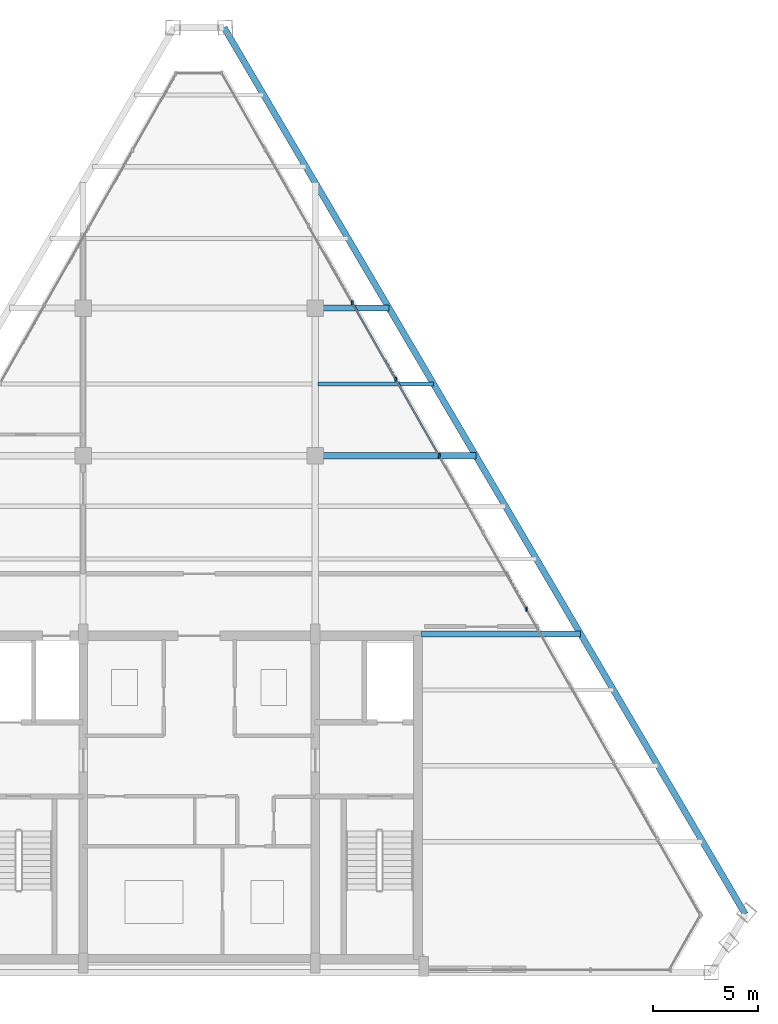
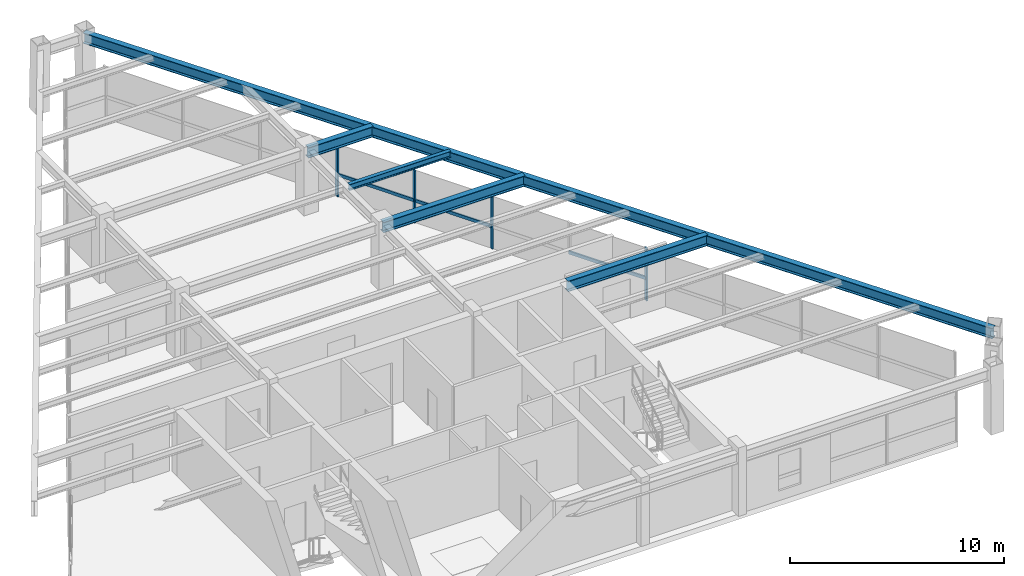
# One storey, part 7 of 12: 7 members, 5 beams, 1 element without a shape of its own.
"""IFC4 building model written with IfcOpenShell, lengths in metres."""

from ifc_helpers import new_model, si_unit, direction, frame, origin, origin_2d, place, context, subcontext, project, spatial, rectangle, i_section, extrude, source, transform, mapped, material, material_profile, profile_set, type_object, type_shapes, element, aggregate, save


model = new_model("IFC4")

# Units and contexts
model_context = context("Model", 3, precision=1e-05, world=origin(), true_north=direction((0.0, 1.0)))
body_context = subcontext(model_context, "Body", "Model", "MODEL_VIEW")
ifc_project = project(units=[si_unit("LENGTHUNIT", "METRE"), si_unit("AREAUNIT", "SQUARE_METRE"), si_unit("VOLUMEUNIT", "CUBIC_METRE"), si_unit("PLANEANGLEUNIT", "RADIAN"), si_unit("MASSUNIT", "GRAM", prefix="KILO")], contexts=[model_context])

# Site, building, storey
site_placement = place(None, origin())
site = spatial("IfcSite", under=ifc_project, at=site_placement, CompositionType="ELEMENT")
building_placement = place(site_placement, origin())
building = spatial("IfcBuilding", under=site, at=building_placement, Name="Varnakhor Terracotta Tower", CompositionType="ELEMENT")
storey_placement = place(building_placement, frame((0.0, 0.0, 309.699951171875)))
storey = spatial("IfcBuildingStorey", under=building, at=storey_placement, Name="L81 Crown", CompositionType="ELEMENT", Elevation=309.699951171875)

# Beams
ifc_material_1 = material(Name="Steel S355", Category="steel")
ifc_material_profile_1 = material_profile(ifc_material_1, i_section(OverallWidth=0.300048828125, OverallDepth=0.60009765625, WebThickness=0.015380859375, FlangeThickness=0.030029296875, FilletRadius=0.01806640625, at=origin_2d()), Name="HEB600")
ifc_profile_set_1 = profile_set([ifc_material_profile_1], Name="Steel S355")
beam_type_1 = type_object("IfcBeamType", Name="BM-HEB600", PredefinedType="BEAM", material=ifc_profile_set_1)
shared_shape_1 = source(origin(), body_context, "Body", "SweptSolid", [
    extrude(i_section(OverallWidth=0.300048828125, OverallDepth=0.60009765625, WebThickness=0.015380859375, FlangeThickness=0.030029296875, FilletRadius=0.01806640625, at=origin_2d()), origin(), (0.0, 0.0, 1.0), 48.742431640625),
])
beam_1_placement = place(storey_placement, frame((25.887939453125, 2.767822265625, 3.300048828125), z_axis=(-0.506774726627, 0.862078521048, 0.0), x_axis=(-0.862078521048, -0.506774726627, 0.0)))
element("IfcBeam", 1, at=beam_1_placement, inside=storey, type_object=beam_type_1, Name="L81 Crown Perimeter Spandrel 4", PredefinedType="BEAM", context=body_context, shape_type="MappedRepresentation", body=[
    mapped(shared_shape_1, transform((0.0, 0.0, 0.0), scale=1.0)),
])
shared_shape_2 = source(origin(), body_context, "Body", "SweptSolid", [
    extrude(i_section(OverallWidth=0.300048828125, OverallDepth=0.60009765625, WebThickness=0.015380859375, FlangeThickness=0.030029296875, FilletRadius=0.01806640625, at=origin_2d()), origin(), (0.0, 0.0, 1.0), 7.530029296875),
])
beam_2_placement = place(storey_placement, frame((10.550048828125, 16.050048828125, 3.300048828125), z_axis=(1.0, 0.0, 0.0), x_axis=(0.0, 1.0, 0.0)))
element("IfcBeam", 2, at=beam_2_placement, inside=storey, type_object=beam_type_1, Name="L81 Crown Wing Girder E", PredefinedType="BEAM", context=body_context, shape_type="MappedRepresentation", body=[
    mapped(shared_shape_2, transform((0.0, 0.0, 0.0), scale=1.0)),
])
shared_shape_3 = source(origin(), body_context, "Body", "SweptSolid", [
    extrude(i_section(OverallWidth=0.300048828125, OverallDepth=0.60009765625, WebThickness=0.015380859375, FlangeThickness=0.030029296875, FilletRadius=0.01806640625, at=origin_2d()), origin(), (0.0, 0.0, 1.0), 7.61279296875),
])
beam_3_placement = place(storey_placement, frame((5.5, 24.5, 3.300048828125), z_axis=(1.0, 0.0, 0.0), x_axis=(0.0, 1.0, 0.0)))
element("IfcBeam", 3, at=beam_3_placement, inside=storey, type_object=beam_type_1, Name="L81 Crown Primary Girder EW2-3", PredefinedType="BEAM", context=body_context, shape_type="MappedRepresentation", body=[
    mapped(shared_shape_3, transform((0.0, 0.0, 0.0), scale=1.0)),
])
shared_shape_4 = source(origin(), body_context, "Body", "SweptSolid", [
    extrude(i_section(OverallWidth=0.300048828125, OverallDepth=0.60009765625, WebThickness=0.015380859375, FlangeThickness=0.030029296875, FilletRadius=0.01806640625, at=origin_2d()), origin(), (0.0, 0.0, 1.0), 3.497802734375),
])
beam_4_placement = place(storey_placement, frame((5.5, 31.5, 3.300048828125), z_axis=(1.0, 0.0, 0.0), x_axis=(0.0, 1.0, 0.0)))
element("IfcBeam", 4, at=beam_4_placement, inside=storey, type_object=beam_type_1, Name="L81 Crown Primary Girder EW3-3", PredefinedType="BEAM", context=body_context, shape_type="MappedRepresentation", body=[
    mapped(shared_shape_4, transform((0.0, 0.0, 0.0), scale=1.0)),
])
ifc_material_profile_2 = material_profile(ifc_material_1, i_section(OverallWidth=0.202880859375, OverallDepth=0.346923828125, WebThickness=0.0078125, FlangeThickness=0.013427734375, FilletRadius=0.01806640625, at=origin_2d()), Name="W14X43")
ifc_profile_set_2 = profile_set([ifc_material_profile_2], Name="Steel S355")
beam_type_2 = type_object("IfcBeamType", Name="JST-W14X43", PredefinedType="JOIST", material=ifc_profile_set_2)
shared_shape_5 = source(origin(), body_context, "Body", "SweptSolid", [
    extrude(i_section(OverallWidth=0.202880859375, OverallDepth=0.346923828125, WebThickness=0.0078125, FlangeThickness=0.013427734375, FilletRadius=0.01806640625, at=origin_2d()), origin(), (0.0, 0.0, 1.0), 5.468017578125),
])
beam_5_placement = place(storey_placement, frame((5.64599609375, 27.89990234375, 3.426513671875), z_axis=(1.0, 0.0, 0.0), x_axis=(0.0, 1.0, 0.0)))
element("IfcBeam", 5, at=beam_5_placement, inside=storey, type_object=beam_type_2, Name="L81 Crown Composite Floor Joist 6-3", PredefinedType="JOIST", context=body_context, shape_type="MappedRepresentation", body=[
    mapped(shared_shape_5, transform((0.0, 0.0, 0.0), scale=1.0)),
])

# Curtain wall, members
ifc_material_2 = material(Name="Anodised Aluminium Curtain Wall System", Category="aluminium")
curtain_wall_type = type_object("IfcCurtainWallType", Name="CW-SYS-CROWN", PredefinedType="NOTDEFINED", material=ifc_material_2)
curtain_wall_placement = place(storey_placement, origin())
curtain_wall = element("IfcCurtainWall", 6, at=curtain_wall_placement, inside=storey, type_object=curtain_wall_type, Name="L81 Crown Facet Curtain Wall 3", PredefinedType="NOTDEFINED")
ifc_material_3 = material(Name="Anodised Aluminium 6063-T6", Category="aluminium")
ifc_material_profile_3 = material_profile(ifc_material_3, rectangle(XDim=0.080078125, YDim=0.205078125, at=origin_2d()), Name="ALU MULLION 80x205")
ifc_profile_set_3 = profile_set([ifc_material_profile_3], Name="Anodised Aluminium 6063-T6")
member_type_1 = type_object("IfcMemberType", Name="CWM-06", PredefinedType="MULLION", material=ifc_profile_set_3)
shared_shape_6 = source(origin(), body_context, "Body", "SweptSolid", [
    extrude(rectangle(XDim=0.080078125, YDim=0.205078125, at=origin_2d()), origin(), (0.0, 0.0, 1.0), 2.97998046875),
])
type_shapes(member_type_1, [shared_shape_6])
member_1_placement = place(storey_placement, frame((7.255859375, 31.75341796875, 0.0), z_axis=(0.0, 0.0, 1.0), x_axis=(1.0, 0.0, 0.0)))
member_1 = element("IfcMember", 7, at=member_1_placement, type_object=member_type_1, Name="L81 Crown Facet Curtain Wall 3 Mullion 4", PredefinedType="MULLION", context=body_context, shape_type="MappedRepresentation", body=[
    mapped(shared_shape_6, transform((0.0, 0.0, 0.0), scale=1.0)),
])
member_2_placement = place(storey_placement, frame((9.32080078125, 28.120849609375, 0.0), z_axis=(0.0, 0.0, 1.0), x_axis=(1.0, 0.0, 0.0)))
member_2 = element("IfcMember", 8, at=member_2_placement, type_object=member_type_1, Name="L81 Crown Facet Curtain Wall 3 Mullion 5", PredefinedType="MULLION", context=body_context, shape_type="MappedRepresentation", body=[
    mapped(shared_shape_6, transform((0.0, 0.0, 0.0), scale=1.0)),
])
member_3_placement = place(storey_placement, frame((11.385986328125, 24.48828125, 0.0), z_axis=(0.0, 0.0, 1.0), x_axis=(1.0, 0.0, 0.0)))
member_3 = element("IfcMember", 9, at=member_3_placement, type_object=member_type_1, Name="L81 Crown Facet Curtain Wall 3 Mullion 6", PredefinedType="MULLION", context=body_context, shape_type="MappedRepresentation", body=[
    mapped(shared_shape_6, transform((0.0, 0.0, 0.0), scale=1.0)),
])
member_4_placement = place(storey_placement, frame((15.516357421875, 17.222900390625, 0.0), z_axis=(0.0, 0.0, 1.0), x_axis=(1.0, 0.0, 0.0)))
member_4 = element("IfcMember", 10, at=member_4_placement, type_object=member_type_1, Name="L81 Crown Facet Curtain Wall 3 Mullion 8", PredefinedType="MULLION", context=body_context, shape_type="MappedRepresentation", body=[
    mapped(shared_shape_6, transform((0.0, 0.0, 0.0), scale=1.0)),
])
ifc_material_profile_4 = material_profile(ifc_material_3, rectangle(XDim=0.080078125, YDim=0.179931640625, at=origin_2d()), Name="ALU TRANSOM 80x180")
ifc_profile_set_4 = profile_set([ifc_material_profile_4], Name="Anodised Aluminium 6063-T6")
member_type_2 = type_object("IfcMemberType", Name="CWT-06", PredefinedType="USERDEFINED", material=ifc_profile_set_4)
shared_shape_7 = source(origin(), body_context, "Body", "SweptSolid", [
    extrude(rectangle(XDim=0.080078125, YDim=0.179931640625, at=origin_2d()), origin(), (0.0, 0.0, 1.0), 4.178466796875),
])
member_5_placement = place(storey_placement, frame((7.255859375, 31.75341796875, 1.251708984375), z_axis=(0.494187077917, -0.869355584338, 0.0), x_axis=(0.869355584338, 0.494187077917, 0.0)))
member_5 = element("IfcMember", 11, at=member_5_placement, type_object=member_type_2, Name="L81 Crown Facet Curtain Wall 3 Transom 4", ObjectType="TRANSOM", PredefinedType="USERDEFINED", context=body_context, shape_type="MappedRepresentation", body=[
    mapped(shared_shape_7, transform((0.0, 0.0, 0.0), scale=1.0)),
])
member_6_placement = place(storey_placement, frame((9.32080078125, 28.120849609375, 1.251708984375), z_axis=(0.494231234941, -0.869330481698, 0.0), x_axis=(0.869330481698, 0.494231234941, 0.0)))
member_6 = element("IfcMember", 12, at=member_6_placement, type_object=member_type_2, Name="L81 Crown Facet Curtain Wall 3 Transom 5", ObjectType="TRANSOM", PredefinedType="USERDEFINED", context=body_context, shape_type="MappedRepresentation", body=[
    mapped(shared_shape_7, transform((0.0, 0.0, 0.0), scale=1.0)),
])
member_7_placement = place(storey_placement, frame((13.451171875, 20.85546875, 1.251708984375), z_axis=(0.494231234941, -0.869330481698, 0.0), x_axis=(0.869330481698, 0.494231234941, 0.0)))
member_7 = element("IfcMember", 13, at=member_7_placement, type_object=member_type_2, Name="L81 Crown Facet Curtain Wall 3 Transom 7", ObjectType="TRANSOM", PredefinedType="USERDEFINED", context=body_context, shape_type="MappedRepresentation", body=[
    mapped(shared_shape_7, transform((0.0, 0.0, 0.0), scale=1.0)),
])
aggregate(curtain_wall, [member_1, member_5, member_2, member_6, member_3, member_7, member_4])

save(model, "model.ifc")
